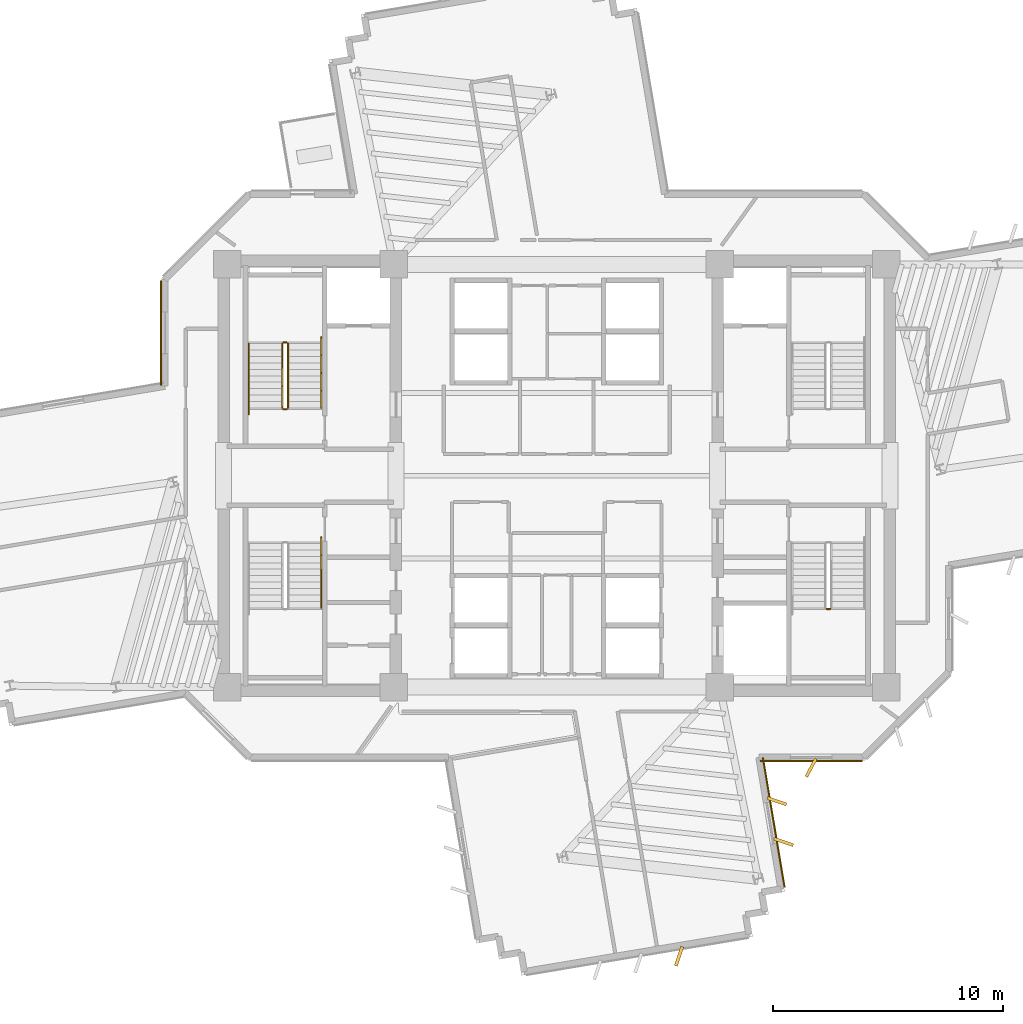
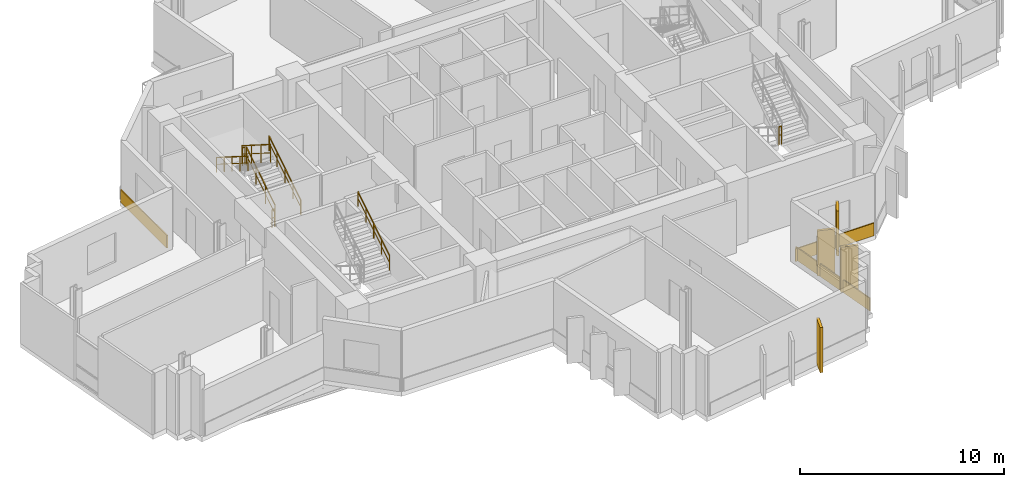
# One storey, part 13 of 15: 8 railings, 7 coverings.
"""IFC4 building model written with IfcOpenShell, lengths in metres."""

from ifc_helpers import new_model, si_unit, direction, frame, origin, origin_2d, place, context, subcontext, project, spatial, rectangle, extrude, source, transform, mapped, material, layer, layer_set, type_object, element, save


model = new_model("IFC4")

# Units and contexts
model_context = context("Model", 3, precision=1e-05, world=origin(), true_north=direction((0.0, 1.0)))
body_context = subcontext(model_context, "Body", "Model", "MODEL_VIEW")
ifc_project = project(units=[si_unit("LENGTHUNIT", "METRE"), si_unit("AREAUNIT", "SQUARE_METRE"), si_unit("VOLUMEUNIT", "CUBIC_METRE"), si_unit("PLANEANGLEUNIT", "RADIAN"), si_unit("MASSUNIT", "GRAM", prefix="KILO")], contexts=[model_context])

# Site, building, storey
site_placement = place(None, origin())
site = spatial("IfcSite", under=ifc_project, at=site_placement, CompositionType="ELEMENT")
building_placement = place(site_placement, origin())
building = spatial("IfcBuilding", under=site, at=building_placement, Name="Zahravan Cultural Tower", CompositionType="ELEMENT")
storey_placement = place(building_placement, frame((0.0, 0.0, 143.39990234375)))
storey = spatial("IfcBuildingStorey", under=building, at=storey_placement, Name="L32", CompositionType="ELEMENT", Elevation=143.39990234375)

# Railings
ifc_material_1 = material(Name="Steel ASTM A572 Grade 50", Category="steel")
railing_type_1 = type_object("IfcRailingType", Name="RL-STAIR-GRD1150", PredefinedType="BALUSTRADE", material=ifc_material_1)
railing_1_placement = place(storey_placement, frame((24.300048828125, 29.949951171875, 0.177490234375)))
element("IfcRailing", 1, at=railing_1_placement, inside=storey, type_object=railing_type_1, Name="L32 ST-W1 stair guard 1", PredefinedType="BALUSTRADE", context=body_context, shape_type="SweptSolid", body=[
    extrude(rectangle(XDim=0.05, YDim=0.05, at=origin_2d()), frame((0.0, 0.0, 1.0751953125), z_axis=(0.0, 0.844908973607, 0.534910110503), x_axis=(-1.0, 0.0, 0.0)), (0.0, 0.0, 1.0), 3.31396484375),
    extrude(rectangle(XDim=0.032, YDim=0.032, at=origin_2d()), frame((0.0, 0.0, 0.572021484375), z_axis=(0.0, 0.844908973607, 0.534910110503), x_axis=(-1.0, 0.0, 0.0)), (0.0, 0.0, 1.0), 3.31396484375),
    extrude(rectangle(XDim=0.04, YDim=0.04, at=origin_2d()), origin(), (0.0, 0.0, 1.0), 1.10009765625),
    extrude(rectangle(XDim=0.04, YDim=0.04, at=origin_2d()), frame((0.0, 0.933349609375, 0.5908203125)), (0.0, 0.0, 1.0), 1.10009765625),
    extrude(rectangle(XDim=0.04, YDim=0.04, at=origin_2d()), frame((0.0, 1.86669921875, 1.181884765625)), (0.0, 0.0, 1.0), 1.10009765625),
    extrude(rectangle(XDim=0.04, YDim=0.04, at=origin_2d()), frame((0.0, 2.800048828125, 1.772705078125)), (0.0, 0.0, 1.0), 1.10009765625),
])
railing_2_placement = place(storey_placement, frame((24.25, 32.800048828125, 1.9501953125)))
element("IfcRailing", 2, at=railing_2_placement, inside=storey, type_object=railing_type_1, Name="L32 ST-W1 stair guard 2", PredefinedType="BALUSTRADE", context=body_context, shape_type="SweptSolid", body=[
    extrude(rectangle(XDim=0.05, YDim=0.05, at=origin_2d()), frame((0.0, 0.0, 1.0751953125), z_axis=(-1.0, 0.0, 0.0), x_axis=(0.0, -1.0, 0.0)), (0.0, 0.0, 1.0), 0.14990234375),
    extrude(rectangle(XDim=0.032, YDim=0.032, at=origin_2d()), frame((0.0, 0.0, 0.572021484375), z_axis=(-1.0, 0.0, 0.0), x_axis=(0.0, -1.0, 0.0)), (0.0, 0.0, 1.0), 0.14990234375),
    extrude(rectangle(XDim=0.04, YDim=0.04, at=origin_2d()), origin(), (0.0, 0.0, 1.0), 1.10009765625),
    extrude(rectangle(XDim=0.04, YDim=0.04, at=origin_2d()), frame((-0.14990234375, 0.0, 0.0)), (0.0, 0.0, 1.0), 1.10009765625),
])
railing_3_placement = place(storey_placement, frame((24.050048828125, 32.75, 2.12744140625)))
element("IfcRailing", 3, at=railing_3_placement, inside=storey, type_object=railing_type_1, Name="L32 ST-W1 stair guard 3", PredefinedType="BALUSTRADE", context=body_context, shape_type="SweptSolid", body=[
    extrude(rectangle(XDim=0.05, YDim=0.05, at=origin_2d()), frame((0.0, 0.0, 1.0751953125), z_axis=(0.0, -0.844908973607, 0.534910110503), x_axis=(1.0, 0.0, 0.0)), (0.0, 0.0, 1.0), 3.31396484375),
    extrude(rectangle(XDim=0.032, YDim=0.032, at=origin_2d()), frame((0.0, 0.0, 0.572021484375), z_axis=(0.0, -0.844908973607, 0.534910110503), x_axis=(1.0, 0.0, 0.0)), (0.0, 0.0, 1.0), 3.31396484375),
    extrude(rectangle(XDim=0.04, YDim=0.04, at=origin_2d()), origin(), (0.0, 0.0, 1.0), 1.10009765625),
    extrude(rectangle(XDim=0.04, YDim=0.04, at=origin_2d()), frame((0.0, -0.933349609375, 0.5908203125)), (0.0, 0.0, 1.0), 1.10009765625),
    extrude(rectangle(XDim=0.04, YDim=0.04, at=origin_2d()), frame((0.0, -1.86669921875, 1.181884765625)), (0.0, 0.0, 1.0), 1.10009765625),
    extrude(rectangle(XDim=0.04, YDim=0.04, at=origin_2d()), frame((0.0, -2.800048828125, 1.772705078125)), (0.0, 0.0, 1.0), 1.10009765625),
])
railing_4_placement = place(storey_placement, frame((24.25, 29.89990234375, 0.0)))
element("IfcRailing", 4, at=railing_4_placement, inside=storey, type_object=railing_type_1, Name="L32 ST-W1 stair guard 4", PredefinedType="BALUSTRADE", context=body_context, shape_type="SweptSolid", body=[
    extrude(rectangle(XDim=0.05, YDim=0.05, at=origin_2d()), frame((0.0, 0.0, 1.0751953125), z_axis=(-1.0, 0.0, 0.0), x_axis=(0.0, -1.0, 0.0)), (0.0, 0.0, 1.0), 0.14990234375),
    extrude(rectangle(XDim=0.032, YDim=0.032, at=origin_2d()), frame((0.0, 0.0, 0.572021484375), z_axis=(-1.0, 0.0, 0.0), x_axis=(0.0, -1.0, 0.0)), (0.0, 0.0, 1.0), 0.14990234375),
    extrude(rectangle(XDim=0.04, YDim=0.04, at=origin_2d()), origin(), (0.0, 0.0, 1.0), 1.10009765625),
    extrude(rectangle(XDim=0.04, YDim=0.04, at=origin_2d()), frame((-0.14990234375, 0.0, 0.0)), (0.0, 0.0, 1.0), 1.10009765625),
])
railing_5_placement = place(storey_placement, frame((47.75, 21.199951171875, 1.9501953125)))
element("IfcRailing", 5, at=railing_5_placement, inside=storey, type_object=railing_type_1, Name="L32 ST-E2 stair guard 2", PredefinedType="BALUSTRADE", context=body_context, shape_type="SweptSolid", body=[
    extrude(rectangle(XDim=0.05, YDim=0.05, at=origin_2d()), frame((0.0, 0.0, 1.0751953125), z_axis=(1.0, 0.0, 0.0), x_axis=(0.0, 1.0, 0.0)), (0.0, 0.0, 1.0), 0.14990234375),
    extrude(rectangle(XDim=0.032, YDim=0.032, at=origin_2d()), frame((0.0, 0.0, 0.572021484375), z_axis=(1.0, 0.0, 0.0), x_axis=(0.0, 1.0, 0.0)), (0.0, 0.0, 1.0), 0.14990234375),
    extrude(rectangle(XDim=0.04, YDim=0.04, at=origin_2d()), origin(), (0.0, 0.0, 1.0), 1.10009765625),
    extrude(rectangle(XDim=0.04, YDim=0.04, at=origin_2d()), frame((0.14990234375, 0.0, 0.0)), (0.0, 0.0, 1.0), 1.10009765625),
])
railing_type_2 = type_object("IfcRailingType", Name="RL-STAIR-HR900", PredefinedType="HANDRAIL", material=ifc_material_1)
railing_6_placement = place(storey_placement, frame((25.75, 29.949951171875, 0.177490234375)))
element("IfcRailing", 6, at=railing_6_placement, inside=storey, type_object=railing_type_2, Name="L32 ST-W1 stair handrail 1", PredefinedType="HANDRAIL", context=body_context, shape_type="SweptSolid", body=[
    extrude(rectangle(XDim=0.05, YDim=0.05, at=origin_2d()), frame((0.0, 0.0, 0.875), z_axis=(0.0, 0.844913916606, 0.534902302785), x_axis=(-1.0, 0.0, 0.0)), (0.0, 0.0, 1.0), 3.6455078125),
    extrude(rectangle(XDim=0.032, YDim=0.032, at=origin_2d()), frame((0.0, 0.0, 0.468017578125), z_axis=(0.0, 0.844913916606, 0.534902302785), x_axis=(-1.0, 0.0, 0.0)), (0.0, 0.0, 1.0), 3.6455078125),
    extrude(rectangle(XDim=0.04, YDim=0.04, at=origin_2d()), origin(), (0.0, 0.0, 1.0), 0.89990234375),
    extrude(rectangle(XDim=0.04, YDim=0.04, at=origin_2d()), frame((0.0, 0.77001953125, 0.487548828125)), (0.0, 0.0, 1.0), 0.89990234375),
    extrude(rectangle(XDim=0.04, YDim=0.04, at=origin_2d()), frame((0.0, 1.5400390625, 0.97509765625)), (0.0, 0.0, 1.0), 0.89990234375),
    extrude(rectangle(XDim=0.04, YDim=0.04, at=origin_2d()), frame((0.0, 2.31005859375, 1.46240234375)), (0.0, 0.0, 1.0), 0.89990234375),
    extrude(rectangle(XDim=0.04, YDim=0.04, at=origin_2d()), frame((0.0, 3.080078125, 1.949951171875)), (0.0, 0.0, 1.0), 0.89990234375),
])
railing_7_placement = place(storey_placement, frame((22.60009765625, 32.75, 2.12744140625)))
element("IfcRailing", 7, at=railing_7_placement, inside=storey, type_object=railing_type_2, Name="L32 ST-W1 stair handrail 2", PredefinedType="HANDRAIL", context=body_context, shape_type="SweptSolid", body=[
    extrude(rectangle(XDim=0.05, YDim=0.05, at=origin_2d()), frame((0.0, 0.0, 0.875), z_axis=(0.0, -0.844913916606, 0.534902302785), x_axis=(1.0, 0.0, 0.0)), (0.0, 0.0, 1.0), 3.6455078125),
    extrude(rectangle(XDim=0.032, YDim=0.032, at=origin_2d()), frame((0.0, 0.0, 0.468017578125), z_axis=(0.0, -0.844913916606, 0.534902302785), x_axis=(1.0, 0.0, 0.0)), (0.0, 0.0, 1.0), 3.6455078125),
    extrude(rectangle(XDim=0.04, YDim=0.04, at=origin_2d()), origin(), (0.0, 0.0, 1.0), 0.89990234375),
    extrude(rectangle(XDim=0.04, YDim=0.04, at=origin_2d()), frame((0.0, -0.77001953125, 0.487548828125)), (0.0, 0.0, 1.0), 0.89990234375),
    extrude(rectangle(XDim=0.04, YDim=0.04, at=origin_2d()), frame((0.0, -1.5400390625, 0.97509765625)), (0.0, 0.0, 1.0), 0.89990234375),
    extrude(rectangle(XDim=0.04, YDim=0.04, at=origin_2d()), frame((0.0, -2.31005859375, 1.46240234375)), (0.0, 0.0, 1.0), 0.89990234375),
    extrude(rectangle(XDim=0.04, YDim=0.04, at=origin_2d()), frame((0.0, -3.080078125, 1.949951171875)), (0.0, 0.0, 1.0), 0.89990234375),
])
railing_8_placement = place(storey_placement, frame((25.75, 21.25, 2.12744140625)))
element("IfcRailing", 8, at=railing_8_placement, inside=storey, type_object=railing_type_2, Name="L32 ST-W2 stair handrail 2", PredefinedType="HANDRAIL", context=body_context, shape_type="SweptSolid", body=[
    extrude(rectangle(XDim=0.05, YDim=0.05, at=origin_2d()), frame((0.0, 0.0, 0.875), z_axis=(0.0, 0.844913916606, 0.534902302785), x_axis=(-1.0, 0.0, 0.0)), (0.0, 0.0, 1.0), 3.6455078125),
    extrude(rectangle(XDim=0.032, YDim=0.032, at=origin_2d()), frame((0.0, 0.0, 0.468017578125), z_axis=(0.0, 0.844913916606, 0.534902302785), x_axis=(-1.0, 0.0, 0.0)), (0.0, 0.0, 1.0), 3.6455078125),
    extrude(rectangle(XDim=0.04, YDim=0.04, at=origin_2d()), origin(), (0.0, 0.0, 1.0), 0.89990234375),
    extrude(rectangle(XDim=0.04, YDim=0.04, at=origin_2d()), frame((0.0, 0.77001953125, 0.487548828125)), (0.0, 0.0, 1.0), 0.89990234375),
    extrude(rectangle(XDim=0.04, YDim=0.04, at=origin_2d()), frame((0.0, 1.5400390625, 0.97509765625)), (0.0, 0.0, 1.0), 0.89990234375),
    extrude(rectangle(XDim=0.04, YDim=0.04, at=origin_2d()), frame((0.0, 2.31005859375, 1.46240234375)), (0.0, 0.0, 1.0), 0.89990234375),
    extrude(rectangle(XDim=0.04, YDim=0.04, at=origin_2d()), frame((0.0, 3.080078125, 1.949951171875)), (0.0, 0.0, 1.0), 0.89990234375),
])

# Coverings
ifc_material_2 = material(Name="Terracotta ceramic cladding", Category="masonry")
ifc_layer = layer(ifc_material_2, 0.06005859375)
ifc_layer_set = layer_set([ifc_layer], Name="Terracotta ceramic cladding")
covering_type = type_object("IfcCoveringType", Name="COV-CLAD-TC60", PredefinedType="CLADDING", material=ifc_layer_set)
shared_shape_1 = source(origin(), body_context, "Body", "SweptSolid", [
    extrude(rectangle(XDim=0.8798828125, YDim=0.139892578125, at=origin_2d()), origin(), (0.0, 0.0, 1.0), 2.699951171875),
])
for number, where, z_axis, x_axis, name in (
    (9, (47.072998046875, 14.2900390625, 0.05029296875), (0.0, 0.0, 1.0), (-0.469471562786, -0.882947592859, 0.0), "L32 Herringbone Terracotta Fin 10"),
    (10, (45.579345703125, 12.834228515625, 0.05029296875), (0.0, 0.0, 1.0), (0.948329193073, -0.317288104987, 0.0), "L32 Herringbone Terracotta Fin 11"),
    (11, (45.87646484375, 11.05908203125, 0.05029296875), (0.0, 0.0, 1.0), (0.948329193073, -0.317288104987, 0.0), "L32 Herringbone Terracotta Fin 12"),
    (12, (41.325439453125, 6.08203125, 0.05029296875), (0.0, 0.0, 1.0), (-0.317304656405, -0.948323655206, 0.0), "L32 Herringbone Terracotta Fin 13"),
):
    element("IfcCovering", number, at=place(storey_placement, frame(where, z_axis=z_axis, x_axis=x_axis)), inside=storey, type_object=covering_type, Name=name, PredefinedType="CLADDING", context=body_context, shape_type="MappedRepresentation", body=[
        mapped(shared_shape_1, transform((0.0, 0.0, 0.0), x_axis=(1.0, 0.0, 0.0), y_axis=(0.0, 1.0, 0.0), z_axis=(0.0, 0.0, 1.0), scale=1.0)),
    ])
shared_shape_2 = source(origin(), body_context, "Body", "SweptSolid", [
    extrude(rectangle(XDim=4.544189453125, YDim=0.06005859375, at=origin_2d()), origin(), (0.0, 0.0, 1.0), 0.760009765625),
])
covering_1_placement = place(storey_placement, frame((18.77490234375, 33.219970703125, 0.02001953125), z_axis=(0.0, 0.0, 1.0), x_axis=(0.0, 1.0, 0.0)))
element("IfcCovering", 13, at=covering_1_placement, inside=storey, type_object=covering_type, Name="L32 Terracotta Spandrel Cladding 37", PredefinedType="CLADDING", context=body_context, shape_type="MappedRepresentation", body=[
    mapped(shared_shape_2, transform((0.0, 0.0, 0.0), x_axis=(1.0, 0.0, 0.0), y_axis=(0.0, 1.0, 0.0), z_axis=(0.0, 0.0, 1.0), scale=1.0)),
])
shared_shape_3 = source(origin(), body_context, "Body", "SweptSolid", [
    extrude(rectangle(XDim=4.437744140625, YDim=0.06005859375, at=origin_2d()), origin(), (0.0, 0.0, 1.0), 0.760009765625),
])
covering_2_placement = place(storey_placement, frame((47.072998046875, 14.574951171875, 0.02001953125), z_axis=(0.0, 0.0, 1.0), x_axis=(-1.0, 0.0, 0.0)))
element("IfcCovering", 14, at=covering_2_placement, inside=storey, type_object=covering_type, Name="L32 Terracotta Spandrel Cladding 13", PredefinedType="CLADDING", context=body_context, shape_type="MappedRepresentation", body=[
    mapped(shared_shape_3, transform((0.0, 0.0, 0.0), x_axis=(1.0, 0.0, 0.0), y_axis=(0.0, 1.0, 0.0), z_axis=(0.0, 0.0, 1.0), scale=1.0)),
])
shared_shape_4 = source(origin(), body_context, "Body", "SweptSolid", [
    extrude(rectangle(XDim=5.715087890625, YDim=0.06005859375, at=origin_2d()), origin(), (0.0, 0.0, 1.0), 0.760009765625),
])
covering_3_placement = place(storey_placement, frame((45.44677734375, 11.899658203125, 0.02001953125), z_axis=(0.0, 0.0, 1.0), x_axis=(0.165064819767, -0.986282720763, 0.0)))
element("IfcCovering", 15, at=covering_3_placement, inside=storey, type_object=covering_type, Name="L32 Terracotta Spandrel Cladding 14", PredefinedType="CLADDING", context=body_context, shape_type="MappedRepresentation", body=[
    mapped(shared_shape_4, transform((0.0, 0.0, 0.0), x_axis=(1.0, 0.0, 0.0), y_axis=(0.0, 1.0, 0.0), z_axis=(0.0, 0.0, 1.0), scale=1.0)),
])

save(model, "model.ifc")
